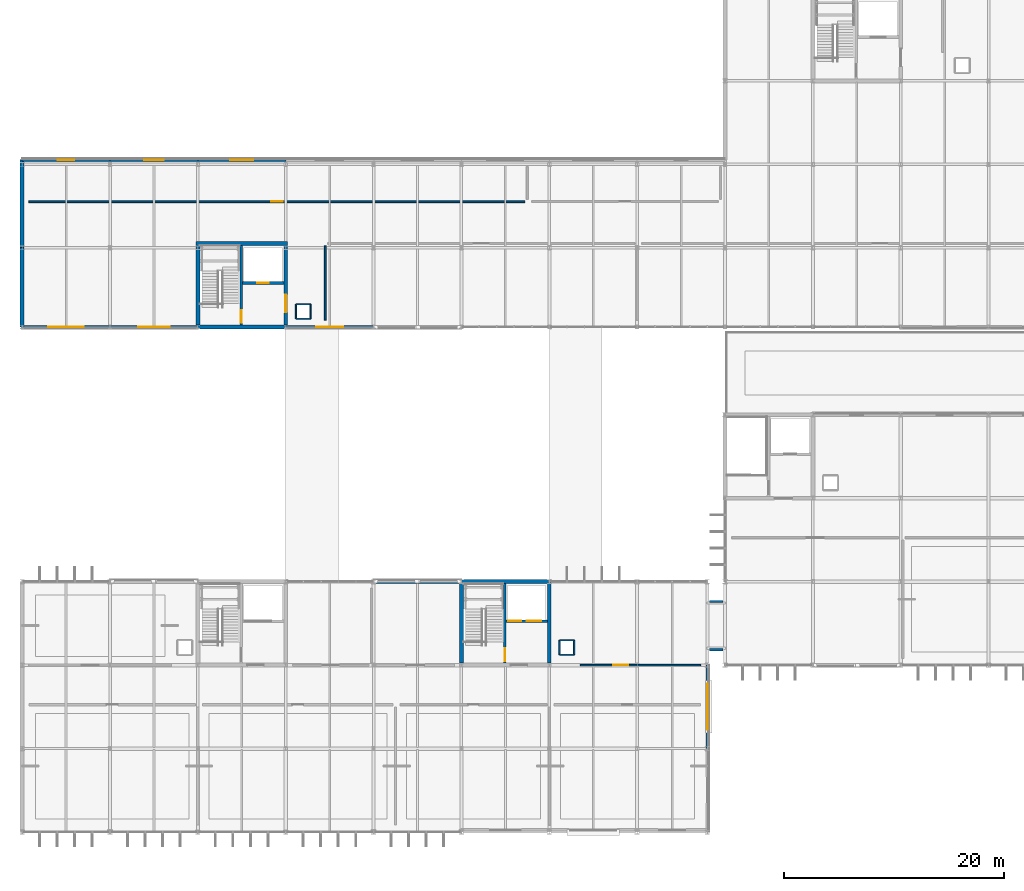
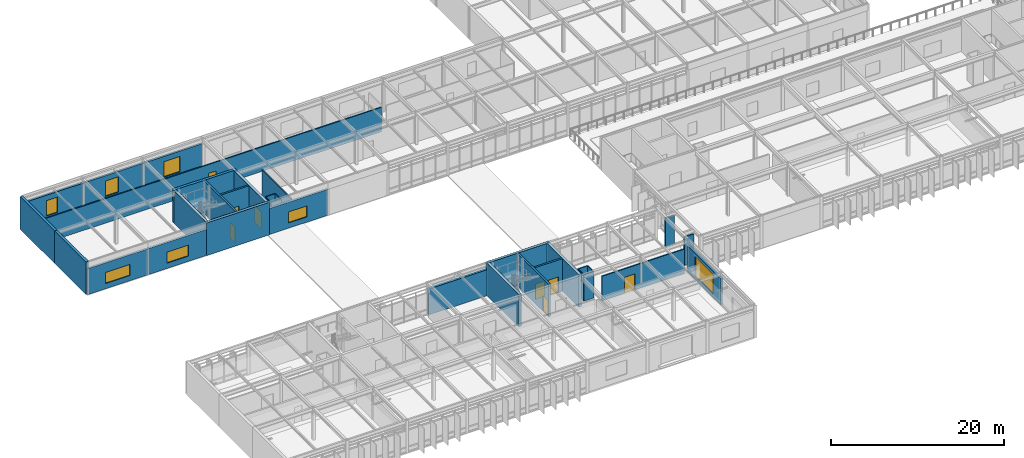
# One storey, part 83 of 100: 34 walls, 8 doors, 7 windows, 15 openings.
"""IFC4 building model written with IfcOpenShell, lengths in metres."""

from ifc_helpers import new_model, si_unit, direction, frame, frame_2d, origin, place, context, subcontext, project, spatial, rectangle, extrude, material, layer, layer_set, type_object, element, fill, save


model = new_model("IFC4")

# Units and contexts
model_context = context("Model", 3, precision=1e-05, world=origin(), true_north=direction((0.0, 1.0)))
body_context = subcontext(model_context, "Body", "Model", "MODEL_VIEW")
ifc_project = project(units=[si_unit("LENGTHUNIT", "METRE"), si_unit("AREAUNIT", "SQUARE_METRE"), si_unit("VOLUMEUNIT", "CUBIC_METRE"), si_unit("PLANEANGLEUNIT", "RADIAN"), si_unit("MASSUNIT", "GRAM", prefix="KILO")], contexts=[model_context])

# Site, building, storey
site_placement = place(None, origin())
site = spatial("IfcSite", under=ifc_project, at=site_placement, CompositionType="ELEMENT")
building_placement = place(site_placement, origin())
building = spatial("IfcBuilding", under=site, at=building_placement, Name="Zulena Civic Courthouse", CompositionType="ELEMENT")
storey_placement = place(building_placement, frame((0.0, 0.0, 20.39990234375)))
storey = spatial("IfcBuildingStorey", under=building, at=storey_placement, Name="L04", CompositionType="ELEMENT", Elevation=20.39990234375)

# Walls
ifc_material_1 = material(Name="Travertine-cream architectural precast concrete C40/50", Category="masonry")
ifc_layer_1 = layer(ifc_material_1, 0.205078125)
ifc_layer_set_1 = layer_set([ifc_layer_1], Name="Travertine-cream architectural precast concrete C40/50")
wall_type_1 = type_object("IfcWallType", Name="BridgeWall_GlazedScreen_205", PredefinedType="STANDARD", material=ifc_layer_set_1)
for number, where, z_axis, x_axis, name in (
    (1, (67.820068359375, 16.60009765625, 0.0), (0.0, 0.0, 1.0), (-1.0, 0.0, 0.0), "ewall:bridge:BR-24:L04:S"),
    (2, (66.580078125, 21.0, 0.0), (0.0, 0.0, 1.0), (1.0, 0.0, 0.0), "ewall:bridge:BR-24:L04:N"),
):
    element("IfcWall", number, at=place(storey_placement, frame(where, z_axis=z_axis, x_axis=x_axis)), inside=storey, type_object=wall_type_1, Name=name, PredefinedType="STANDARD", context=body_context, shape_type="SweptSolid", body=[
        extrude(rectangle(XDim=1.239990234375, YDim=0.205078125, at=frame_2d((0.6201171875, 0.0))), origin(), (0.0, 0.0, 1.0), 4.02001953125),
    ])

# Wall, opening, door
ifc_material_2 = material(Name="Concrete C40/50", Category="concrete")
ifc_layer_2 = layer(ifc_material_2, 0.25)
ifc_layer_set_2 = layer_set([ifc_layer_2], Name="Concrete C40/50")
wall_type_2 = type_object("IfcWallType", Name="CoreShearWall_RC250", PredefinedType="SHEAR", material=ifc_layer_set_2)
wall_1_placement = place(storey_placement, frame((47.949951171875, 15.375, 0.0), z_axis=(0.0, 0.0, 1.0), x_axis=(0.0, 1.0, 0.0)))
wall_1 = element("IfcWall", 3, at=wall_1_placement, inside=storey, type_object=wall_type_2, Name="cwall:K2B:L04:DIV", PredefinedType="SHEAR", context=body_context, shape_type="SweptSolid", body=[
    extrude(rectangle(XDim=7.25, YDim=0.25, at=frame_2d((3.625, 0.0))), origin(), (0.0, 0.0, 1.0), 4.590087890625),
])
opening_1_placement = place(wall_1_placement, frame((0.179931640625, 0.0, 0.0)))
opening_1 = element("IfcOpeningElement", 4, at=opening_1_placement, cuts=wall_1, Name="Opening ID07", PredefinedType="OPENING", context=body_context, shape_type="SweptSolid", body=[
    extrude(rectangle(XDim=1.199951171875, YDim=2.199951171875, at=frame_2d((0.60009765625, 1.10009765625))), frame((0.0, 0.135009765625, 0.0), z_axis=(0.0, -1.0, 0.0), x_axis=(1.0, 0.0, 0.0)), (0.0, 0.0, 1.0), 0.27001953125),
])
ifc_material_3 = material(Name="Fire-rated galvanised steel ASTM A653 Grade 50", Category="steel")
door_type_1 = type_object("IfcDoorType", Name="IntDoor_Stair_1200x2200", OperationType="NOTDEFINED", PredefinedType="DOOR", material=ifc_material_3)
door_1_placement = place(opening_1_placement, origin())
door_1 = element("IfcDoor", 5, at=door_1_placement, inside=storey, type_object=door_type_1, Name="door:stair:K2B:L04", OperationType="SINGLE_SWING_LEFT", OverallHeight=2.199951171875, OverallWidth=1.199951171875, PredefinedType="DOOR", context=body_context, shape_type="SweptSolid", body=[
    extrude(rectangle(XDim=1.199951171875, YDim=2.199951171875, at=frame_2d((0.60009765625, 1.10009765625))), frame((0.0, 0.02490234375, 0.0), z_axis=(0.0, -1.0, 0.0), x_axis=(1.0, 0.0, 0.0)), (0.0, 0.0, 1.0), 0.050048828125),
])
fill(opening_1, door_1)

# Wall, openings, doors
wall_2_placement = place(storey_placement, frame((48.074951171875, 19.199951171875, 0.0), z_axis=(0.0, 0.0, 1.0), x_axis=(1.0, 0.0, 0.0)))
wall_2 = element("IfcWall", 6, at=wall_2_placement, inside=storey, type_object=wall_type_2, Name="cwall:K2B:L04:SHF", PredefinedType="SHEAR", context=body_context, shape_type="SweptSolid", body=[
    extrude(rectangle(XDim=3.75, YDim=0.25, at=frame_2d((1.875, 0.0))), origin(), (0.0, 0.0, 1.0), 4.590087890625),
])
opening_2_placement = place(wall_2_placement, frame((0.179931640625, 0.0, 0.0)))
opening_2 = element("IfcOpeningElement", 7, at=opening_2_placement, cuts=wall_2, Name="Opening LD01", PredefinedType="OPENING", context=body_context, shape_type="SweptSolid", body=[
    extrude(rectangle(XDim=1.199951171875, YDim=2.199951171875, at=frame_2d((0.60009765625, 1.10009765625))), frame((0.0, 0.135009765625, 0.0), z_axis=(0.0, -1.0, 0.0), x_axis=(1.0, 0.0, 0.0)), (0.0, 0.0, 1.0), 0.27001953125),
])
opening_3_placement = place(wall_2_placement, frame((1.85009765625, 0.0, 0.0)))
opening_3 = element("IfcOpeningElement", 8, at=opening_3_placement, cuts=wall_2, Name="Opening LD04", PredefinedType="OPENING", context=body_context, shape_type="SweptSolid", body=[
    extrude(rectangle(XDim=1.35009765625, YDim=2.199951171875, at=frame_2d((0.675048828125, 1.10009765625))), frame((0.0, 0.135009765625, 0.0), z_axis=(0.0, -1.0, 0.0), x_axis=(1.0, 0.0, 0.0)), (0.0, 0.0, 1.0), 0.27001953125),
])
door_type_2 = type_object("IfcDoorType", Name="LiftLandingDoor_FF_1200x2200", OperationType="SLIDING_TO_LEFT", PredefinedType="DOOR", material=ifc_material_3)
door_2_placement = place(opening_2_placement, origin())
door_2 = element("IfcDoor", 9, at=door_2_placement, inside=storey, type_object=door_type_2, Name="door:ld:FL-02:L04", OperationType="SLIDING_TO_LEFT", OverallHeight=2.199951171875, OverallWidth=1.199951171875, PredefinedType="DOOR", context=body_context, shape_type="SweptSolid", body=[
    extrude(rectangle(XDim=1.199951171875, YDim=2.199951171875, at=frame_2d((0.60009765625, 1.10009765625))), frame((0.0, 0.02490234375, 0.0), z_axis=(0.0, -1.0, 0.0), x_axis=(1.0, 0.0, 0.0)), (0.0, 0.0, 1.0), 0.050048828125),
])
fill(opening_2, door_2)
door_type_3 = type_object("IfcDoorType", Name="LiftLandingDoor_Goods_1350x2300", OperationType="DOUBLE_DOOR_SLIDING", PredefinedType="DOOR", material=ifc_material_3)
door_3_placement = place(opening_3_placement, origin())
door_3 = element("IfcDoor", 10, at=door_3_placement, inside=storey, type_object=door_type_3, Name="door:ld:CL-01:L04", OperationType="DOUBLE_DOOR_SLIDING", OverallHeight=2.199951171875, OverallWidth=1.35009765625, PredefinedType="DOOR", context=body_context, shape_type="SweptSolid", body=[
    extrude(rectangle(XDim=1.35009765625, YDim=2.199951171875, at=frame_2d((0.675048828125, 1.10009765625))), frame((0.0, 0.02490234375, 0.0), z_axis=(0.0, -1.0, 0.0), x_axis=(1.0, 0.0, 0.0)), (0.0, 0.0, 1.0), 0.050048828125),
])
fill(opening_3, door_3)

# Wall, opening, door
wall_3_placement = place(storey_placement, frame((23.949951171875, 46.175048828125, 0.0), z_axis=(0.0, 0.0, 1.0), x_axis=(0.0, 1.0, 0.0)))
wall_3 = element("IfcWall", 11, at=wall_3_placement, inside=storey, type_object=wall_type_2, Name="cwall:K5A:L04:DIV", PredefinedType="SHEAR", context=body_context, shape_type="SweptSolid", body=[
    extrude(rectangle(XDim=7.25, YDim=0.25, at=frame_2d((3.625, 0.0))), origin(), (0.0, 0.0, 1.0), 4.590087890625),
])
opening_4_placement = place(wall_3_placement, frame((0.179931640625, 0.0, 0.0)))
opening_4 = element("IfcOpeningElement", 12, at=opening_4_placement, cuts=wall_3, Name="Opening ID08", PredefinedType="OPENING", context=body_context, shape_type="SweptSolid", body=[
    extrude(rectangle(XDim=1.14990234375, YDim=2.199951171875, at=frame_2d((0.574951171875, 1.10009765625))), frame((0.0, 0.135009765625, 0.0), z_axis=(0.0, -1.0, 0.0), x_axis=(1.0, 0.0, 0.0)), (0.0, 0.0, 1.0), 0.27001953125),
])
door_type_4 = type_object("IfcDoorType", Name="IntDoor_Stair_1150x2200", OperationType="NOTDEFINED", PredefinedType="DOOR", material=ifc_material_3)
door_4_placement = place(opening_4_placement, origin())
door_4 = element("IfcDoor", 13, at=door_4_placement, inside=storey, type_object=door_type_4, Name="door:stair:K5A:L04", OperationType="SINGLE_SWING_RIGHT", OverallHeight=2.199951171875, OverallWidth=1.14990234375, PredefinedType="DOOR", context=body_context, shape_type="SweptSolid", body=[
    extrude(rectangle(XDim=1.14990234375, YDim=2.199951171875, at=frame_2d((0.574951171875, 1.10009765625))), frame((0.0, 0.02490234375, 0.0), z_axis=(0.0, -1.0, 0.0), x_axis=(1.0, 0.0, 0.0)), (0.0, 0.0, 1.0), 0.050048828125),
])
fill(opening_4, door_4)

wall_4_placement = place(storey_placement, frame((24.074951171875, 50.0, 0.0), z_axis=(0.0, 0.0, 1.0), x_axis=(1.0, 0.0, 0.0)))
wall_4 = element("IfcWall", 14, at=wall_4_placement, inside=storey, type_object=wall_type_2, Name="cwall:K5A:L04:SHF", PredefinedType="SHEAR", context=body_context, shape_type="SweptSolid", body=[
    extrude(rectangle(XDim=3.75, YDim=0.25, at=frame_2d((1.875, 0.0))), origin(), (0.0, 0.0, 1.0), 4.590087890625),
])
opening_5_placement = place(wall_4_placement, frame((1.344970703125, 0.0, 0.0)))
opening_5 = element("IfcOpeningElement", 15, at=opening_5_placement, cuts=wall_4, Name="Opening LD03", PredefinedType="OPENING", context=body_context, shape_type="SweptSolid", body=[
    extrude(rectangle(XDim=1.050048828125, YDim=2.199951171875, at=frame_2d((0.52490234375, 1.10009765625))), frame((0.0, 0.135009765625, 0.0), z_axis=(0.0, -1.0, 0.0), x_axis=(1.0, 0.0, 0.0)), (0.0, 0.0, 1.0), 0.27001953125),
])
door_type_5 = type_object("IfcDoorType", Name="LiftLandingDoor_Jud_1050x2200", OperationType="SLIDING_TO_RIGHT", PredefinedType="DOOR", material=ifc_material_3)
door_5_placement = place(opening_5_placement, origin())
door_5 = element("IfcDoor", 16, at=door_5_placement, inside=storey, type_object=door_type_5, Name="door:ld:JL-02:L04", OperationType="SLIDING_TO_RIGHT", OverallHeight=2.199951171875, OverallWidth=1.050048828125, PredefinedType="DOOR", context=body_context, shape_type="SweptSolid", body=[
    extrude(rectangle(XDim=1.050048828125, YDim=2.199951171875, at=frame_2d((0.52490234375, 1.10009765625))), frame((0.0, 0.02490234375, 0.0), z_axis=(0.0, -1.0, 0.0), x_axis=(1.0, 0.0, 0.0)), (0.0, 0.0, 1.0), 0.050048828125),
])
fill(opening_5, door_5)

# Walls
ifc_layer_3 = layer(ifc_material_2, 0.35009765625)
ifc_layer_set_3 = layer_set([ifc_layer_3], Name="Concrete C40/50")
wall_type_3 = type_object("IfcWallType", Name="CoreShearWall_RC350", PredefinedType="SHEAR", material=ifc_layer_set_3)
wall_5_placement = place(storey_placement, frame((43.824951171875, 22.800048828125, 0.0), z_axis=(0.0, 0.0, 1.0), x_axis=(1.0, 0.0, 0.0)))
element("IfcWall", 17, at=wall_5_placement, inside=storey, type_object=wall_type_3, Name="cwall:K2B:L04:N", PredefinedType="SHEAR", context=body_context, shape_type="SweptSolid", body=[
    extrude(rectangle(XDim=8.35009765625, YDim=0.35009765625, at=frame_2d((4.175048828125, 0.0))), origin(), (0.0, 0.0, 1.0), 4.590087890625),
])
for number, where, z_axis, x_axis, name in (
    (18, (44.0, 15.375, 0.0), (0.0, 0.0, 1.0), (0.0, 1.0, 0.0), "cwall:K2B:L04:W"),
    (19, (52.0, 15.375, 0.0), (0.0, 0.0, 1.0), (0.0, 1.0, 0.0), "cwall:K2B:L04:E"),
):
    element("IfcWall", number, at=place(storey_placement, frame(where, z_axis=z_axis, x_axis=x_axis)), inside=storey, type_object=wall_type_3, Name=name, PredefinedType="SHEAR", context=body_context, shape_type="SweptSolid", body=[
        extrude(rectangle(XDim=7.25, YDim=0.35009765625, at=frame_2d((3.625, 0.0))), origin(), (0.0, 0.0, 1.0), 4.590087890625),
    ])
for number, where, z_axis, x_axis, name in (
    (20, (19.824951171875, 46.0, 0.0), (0.0, 0.0, 1.0), (1.0, 0.0, 0.0), "cwall:K5A:L04:S"),
    (21, (19.824951171875, 53.60009765625, 0.0), (0.0, 0.0, 1.0), (1.0, 0.0, 0.0), "cwall:K5A:L04:N"),
):
    element("IfcWall", number, at=place(storey_placement, frame(where, z_axis=z_axis, x_axis=x_axis)), inside=storey, type_object=wall_type_3, Name=name, PredefinedType="SHEAR", context=body_context, shape_type="SweptSolid", body=[
        extrude(rectangle(XDim=8.35009765625, YDim=0.35009765625, at=frame_2d((4.175048828125, 0.0))), origin(), (0.0, 0.0, 1.0), 4.590087890625),
    ])
wall_6_placement = place(storey_placement, frame((20.0, 46.175048828125, 0.0), z_axis=(0.0, 0.0, 1.0), x_axis=(0.0, 1.0, 0.0)))
element("IfcWall", 22, at=wall_6_placement, inside=storey, type_object=wall_type_3, Name="cwall:K5A:L04:W", PredefinedType="SHEAR", context=body_context, shape_type="SweptSolid", body=[
    extrude(rectangle(XDim=7.25, YDim=0.35009765625, at=frame_2d((3.625, 0.0))), origin(), (0.0, 0.0, 1.0), 4.590087890625),
])

# Wall, opening, door
wall_7_placement = place(storey_placement, frame((28.0, 46.175048828125, 0.0), z_axis=(0.0, 0.0, 1.0), x_axis=(0.0, 1.0, 0.0)))
wall_7 = element("IfcWall", 23, at=wall_7_placement, inside=storey, type_object=wall_type_3, Name="cwall:K5A:L04:E", PredefinedType="SHEAR", context=body_context, shape_type="SweptSolid", body=[
    extrude(rectangle(XDim=7.25, YDim=0.35009765625, at=frame_2d((3.625, 0.0))), origin(), (0.0, 0.0, 1.0), 4.590087890625),
])
opening_6_placement = place(wall_7_placement, frame((1.14990234375, 0.0, 0.0)))
opening_6 = element("IfcOpeningElement", 24, at=opening_6_placement, cuts=wall_7, Name="Opening ID04", PredefinedType="OPENING", context=body_context, shape_type="SweptSolid", body=[
    extrude(rectangle(XDim=1.60009765625, YDim=2.35009765625, at=frame_2d((0.800048828125, 1.175048828125))), frame((0.0, 0.18505859375, 0.0), z_axis=(0.0, -1.0, 0.0), x_axis=(1.0, 0.0, 0.0)), (0.0, 0.0, 1.0), 0.3701171875),
])
ifc_material_4 = material(Name="Solid-core acoustic hardwood timber", Category="wood")
door_type_6 = type_object("IfcDoorType", Name="IntDoor_CourtPublic_1600x2350", OperationType="DOUBLE_DOOR_SINGLE_SWING", PredefinedType="DOOR", material=ifc_material_4)
door_6_placement = place(opening_6_placement, origin())
door_6 = element("IfcDoor", 25, at=door_6_placement, inside=storey, type_object=door_type_6, Name="door:corelob:K5A:L04", OperationType="DOUBLE_DOOR_SINGLE_SWING", OverallHeight=2.35009765625, OverallWidth=1.60009765625, PredefinedType="DOOR", context=body_context, shape_type="SweptSolid", body=[
    extrude(rectangle(XDim=1.60009765625, YDim=2.35009765625, at=frame_2d((0.800048828125, 1.175048828125))), frame((0.0, 0.02490234375, 0.0), z_axis=(0.0, -1.0, 0.0), x_axis=(1.0, 0.0, 0.0)), (0.0, 0.0, 1.0), 0.050048828125),
])
fill(opening_6, door_6)

# Wall, opening, window
ifc_material_5 = material(Name="Buff architectural precast concrete C40/50", Category="concrete")
ifc_layer_4 = layer(ifc_material_5, 0.264892578125)
ifc_layer_set_4 = layer_set([ifc_layer_4], Name="Buff architectural precast concrete C40/50")
wall_type_4 = type_object("IfcWallType", Name="ExtWall_BuffPrecast_265", PredefinedType="STANDARD", material=ifc_layer_set_4)
wall_8_placement = place(storey_placement, frame((3.97998046875, 61.199951171875, 0.0), z_axis=(0.0, 0.0, 1.0), x_axis=(1.0, 0.0, 0.0)))
wall_8 = element("IfcWall", 26, at=wall_8_placement, inside=storey, type_object=wall_type_4, Name="ewall:V5:L04:1:0", PredefinedType="STANDARD", context=body_context, shape_type="SweptSolid", body=[
    extrude(rectangle(XDim=8.0400390625, YDim=0.264892578125, at=frame_2d((4.02001953125, 0.0))), origin(), (0.0, 0.0, 1.0), 3.66015625),
])
opening_7_placement = place(wall_8_placement, frame((3.27001953125, 0.0, 0.75)))
opening_7 = element("IfcOpeningElement", 27, at=opening_7_placement, cuts=wall_8, Name="Opening WN09", PredefinedType="OPENING", context=body_context, shape_type="SweptSolid", body=[
    extrude(rectangle(XDim=1.5, YDim=2.14990234375, at=frame_2d((0.75, 1.074951171875))), frame((0.0, 0.142333984375, 0.0), z_axis=(0.0, -1.0, 0.0), x_axis=(1.0, 0.0, 0.0)), (0.0, 0.0, 1.0), 0.284912109375),
])
ifc_material_6 = material(Name="Double-silver low-E laminated solar-control glass", Category="glass")
window_type_1 = type_object("IfcWindowType", Name="Win_1500x2150", PartitioningType="SINGLE_PANEL", PredefinedType="WINDOW", material=ifc_material_6)
window_1_placement = place(opening_7_placement, origin())
window_1 = element("IfcWindow", 28, at=window_1_placement, inside=storey, type_object=window_type_1, Name="win:V5:L04:1:0", OverallHeight=2.14990234375, OverallWidth=1.5, PartitioningType="SINGLE_PANEL", PredefinedType="WINDOW", context=body_context, shape_type="SweptSolid", body=[
    extrude(rectangle(XDim=1.5, YDim=2.14990234375, at=frame_2d((0.75, 1.074951171875))), frame((0.0, 0.030029296875, 0.0), z_axis=(0.0, -1.0, 0.0), x_axis=(1.0, 0.0, 0.0)), (0.0, 0.0, 1.0), 0.06005859375),
])
fill(opening_7, window_1)

wall_9_placement = place(storey_placement, frame((11.97998046875, 61.199951171875, 0.0), z_axis=(0.0, 0.0, 1.0), x_axis=(1.0, 0.0, 0.0)))
wall_9 = element("IfcWall", 29, at=wall_9_placement, inside=storey, type_object=wall_type_4, Name="ewall:V5:L04:1:1", PredefinedType="STANDARD", context=body_context, shape_type="SweptSolid", body=[
    extrude(rectangle(XDim=8.0400390625, YDim=0.264892578125, at=frame_2d((4.02001953125, 0.0))), origin(), (0.0, 0.0, 1.0), 3.66015625),
])
opening_8_placement = place(wall_9_placement, frame((3.14501953125, 0.0, 0.75)))
opening_8 = element("IfcOpeningElement", 30, at=opening_8_placement, cuts=wall_9, Name="Opening WN10", PredefinedType="OPENING", context=body_context, shape_type="SweptSolid", body=[
    extrude(rectangle(XDim=1.75, YDim=2.14990234375, at=frame_2d((0.875, 1.074951171875))), frame((0.0, 0.142333984375, 0.0), z_axis=(0.0, -1.0, 0.0), x_axis=(1.0, 0.0, 0.0)), (0.0, 0.0, 1.0), 0.284912109375),
])
window_type_2 = type_object("IfcWindowType", Name="Win_1750x2150", PartitioningType="SINGLE_PANEL", PredefinedType="WINDOW", material=ifc_material_6)
window_2_placement = place(opening_8_placement, origin())
window_2 = element("IfcWindow", 31, at=window_2_placement, inside=storey, type_object=window_type_2, Name="win:V5:L04:1:1", OverallHeight=2.14990234375, OverallWidth=1.75, PartitioningType="SINGLE_PANEL", PredefinedType="WINDOW", context=body_context, shape_type="SweptSolid", body=[
    extrude(rectangle(XDim=1.75, YDim=2.14990234375, at=frame_2d((0.875, 1.074951171875))), frame((0.0, 0.030029296875, 0.0), z_axis=(0.0, -1.0, 0.0), x_axis=(1.0, 0.0, 0.0)), (0.0, 0.0, 1.0), 0.06005859375),
])
fill(opening_8, window_2)

wall_10_placement = place(storey_placement, frame((19.97998046875, 61.199951171875, 0.0), z_axis=(0.0, 0.0, 1.0), x_axis=(1.0, 0.0, 0.0)))
wall_10 = element("IfcWall", 32, at=wall_10_placement, inside=storey, type_object=wall_type_4, Name="ewall:V5:L04:1:2", PredefinedType="STANDARD", context=body_context, shape_type="SweptSolid", body=[
    extrude(rectangle(XDim=8.0400390625, YDim=0.264892578125, at=frame_2d((4.02001953125, 0.0))), origin(), (0.0, 0.0, 1.0), 3.66015625),
])
opening_9_placement = place(wall_10_placement, frame((2.969970703125, 0.0, 0.75)))
opening_9 = element("IfcOpeningElement", 33, at=opening_9_placement, cuts=wall_10, Name="Opening WN11", PredefinedType="OPENING", context=body_context, shape_type="SweptSolid", body=[
    extrude(rectangle(XDim=2.10009765625, YDim=2.14990234375, at=frame_2d((1.050048828125, 1.074951171875))), frame((0.0, 0.142333984375, 0.0), z_axis=(0.0, -1.0, 0.0), x_axis=(1.0, 0.0, 0.0)), (0.0, 0.0, 1.0), 0.284912109375),
])
window_type_3 = type_object("IfcWindowType", Name="Win_2100x2150", PartitioningType="DOUBLE_PANEL_VERTICAL", PredefinedType="WINDOW", material=ifc_material_6)
window_3_placement = place(opening_9_placement, origin())
window_3 = element("IfcWindow", 34, at=window_3_placement, inside=storey, type_object=window_type_3, Name="win:V5:L04:1:2", OverallHeight=2.14990234375, OverallWidth=2.10009765625, PartitioningType="SINGLE_PANEL", PredefinedType="WINDOW", context=body_context, shape_type="SweptSolid", body=[
    extrude(rectangle(XDim=2.10009765625, YDim=2.14990234375, at=frame_2d((1.050048828125, 1.074951171875))), frame((0.0, 0.030029296875, 0.0), z_axis=(0.0, -1.0, 0.0), x_axis=(1.0, 0.0, 0.0)), (0.0, 0.0, 1.0), 0.06005859375),
])
fill(opening_9, window_3)

wall_11_placement = place(storey_placement, frame((36.02001953125, 46.0, 0.0), z_axis=(0.0, 0.0, 1.0), x_axis=(-1.0, 0.0, 0.0)))
wall_11 = element("IfcWall", 35, at=wall_11_placement, inside=storey, type_object=wall_type_4, Name="ewall:V5:L04:5:9", PredefinedType="STANDARD", context=body_context, shape_type="SweptSolid", body=[
    extrude(rectangle(XDim=8.0400390625, YDim=0.264892578125, at=frame_2d((4.02001953125, 0.0))), origin(), (0.0, 0.0, 1.0), 3.66015625),
])
opening_10_placement = place(wall_11_placement, frame((2.794921875, 0.0, 0.75)))
opening_10 = element("IfcOpeningElement", 36, at=opening_10_placement, cuts=wall_11, Name="Opening WN27", PredefinedType="OPENING", context=body_context, shape_type="SweptSolid", body=[
    extrude(rectangle(XDim=2.449951171875, YDim=1.550048828125, at=frame_2d((1.22509765625, 0.77490234375))), frame((0.0, 0.142333984375, 0.0), z_axis=(0.0, -1.0, 0.0), x_axis=(1.0, 0.0, 0.0)), (0.0, 0.0, 1.0), 0.284912109375),
])
window_type_4 = type_object("IfcWindowType", Name="Win_2450x1550", PartitioningType="DOUBLE_PANEL_VERTICAL", PredefinedType="WINDOW", material=ifc_material_6)
window_4_placement = place(opening_10_placement, origin())
window_4 = element("IfcWindow", 37, at=window_4_placement, inside=storey, type_object=window_type_4, Name="win:V5:L04:5:9", OverallHeight=1.550048828125, OverallWidth=2.449951171875, PartitioningType="SINGLE_PANEL", PredefinedType="WINDOW", context=body_context, shape_type="SweptSolid", body=[
    extrude(rectangle(XDim=2.449951171875, YDim=1.550048828125, at=frame_2d((1.22509765625, 0.77490234375))), frame((0.0, 0.030029296875, 0.0), z_axis=(0.0, -1.0, 0.0), x_axis=(1.0, 0.0, 0.0)), (0.0, 0.0, 1.0), 0.06005859375),
])
fill(opening_10, window_4)

wall_12_placement = place(storey_placement, frame((20.02001953125, 46.0, 0.0), z_axis=(0.0, 0.0, 1.0), x_axis=(-1.0, 0.0, 0.0)))
wall_12 = element("IfcWall", 38, at=wall_12_placement, inside=storey, type_object=wall_type_4, Name="ewall:V5:L04:5:11", PredefinedType="STANDARD", context=body_context, shape_type="SweptSolid", body=[
    extrude(rectangle(XDim=8.0400390625, YDim=0.264892578125, at=frame_2d((4.02001953125, 0.0))), origin(), (0.0, 0.0, 1.0), 3.66015625),
])
opening_11_placement = place(wall_12_placement, frame((2.594970703125, 0.0, 0.75)))
opening_11 = element("IfcOpeningElement", 39, at=opening_11_placement, cuts=wall_12, Name="Opening WN28", PredefinedType="OPENING", context=body_context, shape_type="SweptSolid", body=[
    extrude(rectangle(XDim=2.85009765625, YDim=1.550048828125, at=frame_2d((1.425048828125, 0.77490234375))), frame((0.0, 0.142333984375, 0.0), z_axis=(0.0, -1.0, 0.0), x_axis=(1.0, 0.0, 0.0)), (0.0, 0.0, 1.0), 0.284912109375),
])
window_type_5 = type_object("IfcWindowType", Name="Win_2850x1550", PartitioningType="DOUBLE_PANEL_VERTICAL", PredefinedType="WINDOW", material=ifc_material_6)
window_5_placement = place(opening_11_placement, origin())
window_5 = element("IfcWindow", 40, at=window_5_placement, inside=storey, type_object=window_type_5, Name="win:V5:L04:5:11", OverallHeight=1.550048828125, OverallWidth=2.85009765625, PartitioningType="SINGLE_PANEL", PredefinedType="WINDOW", context=body_context, shape_type="SweptSolid", body=[
    extrude(rectangle(XDim=2.85009765625, YDim=1.550048828125, at=frame_2d((1.425048828125, 0.77490234375))), frame((0.0, 0.030029296875, 0.0), z_axis=(0.0, -1.0, 0.0), x_axis=(1.0, 0.0, 0.0)), (0.0, 0.0, 1.0), 0.06005859375),
])
fill(opening_11, window_5)

wall_13_placement = place(storey_placement, frame((12.02001953125, 46.0, 0.0), z_axis=(0.0, 0.0, 1.0), x_axis=(-1.0, 0.0, 0.0)))
wall_13 = element("IfcWall", 41, at=wall_13_placement, inside=storey, type_object=wall_type_4, Name="ewall:V5:L04:5:12", PredefinedType="STANDARD", context=body_context, shape_type="SweptSolid", body=[
    extrude(rectangle(XDim=8.0400390625, YDim=0.264892578125, at=frame_2d((4.02001953125, 0.0))), origin(), (0.0, 0.0, 1.0), 3.66015625),
])
opening_12_placement = place(wall_13_placement, frame((2.39501953125, 0.0, 0.75)))
opening_12 = element("IfcOpeningElement", 42, at=opening_12_placement, cuts=wall_13, Name="Opening WN29", PredefinedType="OPENING", context=body_context, shape_type="SweptSolid", body=[
    extrude(rectangle(XDim=3.25, YDim=1.550048828125, at=frame_2d((1.625, 0.77490234375))), frame((0.0, 0.142333984375, 0.0), z_axis=(0.0, -1.0, 0.0), x_axis=(1.0, 0.0, 0.0)), (0.0, 0.0, 1.0), 0.284912109375),
])
window_type_6 = type_object("IfcWindowType", Name="Win_3250x1550", PartitioningType="DOUBLE_PANEL_VERTICAL", PredefinedType="WINDOW", material=ifc_material_6)
window_6_placement = place(opening_12_placement, origin())
window_6 = element("IfcWindow", 43, at=window_6_placement, inside=storey, type_object=window_type_6, Name="win:V5:L04:5:12", OverallHeight=1.550048828125, OverallWidth=3.25, PartitioningType="SINGLE_PANEL", PredefinedType="WINDOW", context=body_context, shape_type="SweptSolid", body=[
    extrude(rectangle(XDim=3.25, YDim=1.550048828125, at=frame_2d((1.625, 0.77490234375))), frame((0.0, 0.030029296875, 0.0), z_axis=(0.0, -1.0, 0.0), x_axis=(1.0, 0.0, 0.0)), (0.0, 0.0, 1.0), 0.06005859375),
])
fill(opening_12, window_6)

# Walls
ifc_layer_5 = layer(ifc_material_2, 0.360107421875)
ifc_layer_set_5 = layer_set([ifc_layer_5], Name="Concrete C40/50")
wall_type_5 = type_object("IfcWallType", Name="ExtWall_PartyWall_360", PredefinedType="STANDARD", material=ifc_layer_set_5)
wall_14_placement = place(storey_placement, frame((4.0, 45.97998046875, 0.0), z_axis=(0.0, 0.0, 1.0), x_axis=(0.0, 1.0, 0.0)))
element("IfcWall", 44, at=wall_14_placement, inside=storey, type_object=wall_type_5, Name="ewall:V5:L04:0:0", PredefinedType="STANDARD", context=body_context, shape_type="SweptSolid", body=[
    extrude(rectangle(XDim=7.239990234375, YDim=0.360107421875, at=frame_2d((3.6201171875, 0.0))), origin(), (0.0, 0.0, 1.0), 4.60009765625),
])
wall_15_placement = place(storey_placement, frame((4.0, 53.179931640625, 0.0), z_axis=(0.0, 0.0, 1.0), x_axis=(0.0, 1.0, 0.0)))
element("IfcWall", 45, at=wall_15_placement, inside=storey, type_object=wall_type_5, Name="ewall:V5:L04:0:1", PredefinedType="STANDARD", context=body_context, shape_type="SweptSolid", body=[
    extrude(rectangle(XDim=8.0400390625, YDim=0.360107421875, at=frame_2d((4.02001953125, 0.0))), origin(), (0.0, 0.0, 1.0), 4.60009765625),
])
ifc_material_7 = material(Name="White architectural precast concrete C40/50", Category="concrete")
ifc_layer_6 = layer(ifc_material_7, 0.300048828125)
ifc_layer_set_6 = layer_set([ifc_layer_6], Name="White architectural precast concrete C40/50")
wall_type_6 = type_object("IfcWallType", Name="ExtWall_WhitePrecast_300", PredefinedType="STANDARD", material=ifc_layer_set_6)
wall_16_placement = place(storey_placement, frame((35.97998046875, 22.800048828125, 0.0), z_axis=(0.0, 0.0, 1.0), x_axis=(1.0, 0.0, 0.0)))
element("IfcWall", 46, at=wall_16_placement, inside=storey, type_object=wall_type_6, Name="ewall:V2:L04:1:4", PredefinedType="STANDARD", context=body_context, shape_type="SweptSolid", body=[
    extrude(rectangle(XDim=8.0400390625, YDim=0.300048828125, at=frame_2d((4.02001953125, 0.0))), origin(), (0.0, 0.0, 1.0), 3.66015625),
])

# Wall, opening, window
wall_17_placement = place(storey_placement, frame((66.39990234375, 15.219970703125, 0.0), z_axis=(0.0, 0.0, 1.0), x_axis=(0.0, -1.0, 0.0)))
wall_17 = element("IfcWall", 47, at=wall_17_placement, inside=storey, type_object=wall_type_6, Name="ewall:V2:L04:2:1", PredefinedType="STANDARD", context=body_context, shape_type="SweptSolid", body=[
    extrude(rectangle(XDim=7.639892578125, YDim=0.300048828125, at=frame_2d((3.81982421875, 0.0))), origin(), (0.0, 0.0, 1.0), 3.66015625),
])
opening_13_placement = place(wall_17_placement, frame((1.719970703125, 0.0, 0.449951171875)))
opening_13 = element("IfcOpeningElement", 48, at=opening_13_placement, cuts=wall_17, Name="Opening WN49", PredefinedType="OPENING", context=body_context, shape_type="SweptSolid", body=[
    extrude(rectangle(XDim=4.199951171875, YDim=2.800048828125, at=frame_2d((2.10009765625, 1.39990234375))), frame((0.0, 0.159912109375, 0.0), z_axis=(0.0, -1.0, 0.0), x_axis=(1.0, 0.0, 0.0)), (0.0, 0.0, 1.0), 0.320068359375),
])
window_type_7 = type_object("IfcWindowType", Name="Win_4200x2800", PartitioningType="DOUBLE_PANEL_VERTICAL", PredefinedType="WINDOW", material=ifc_material_6)
window_7_placement = place(opening_13_placement, origin())
window_7 = element("IfcWindow", 49, at=window_7_placement, inside=storey, type_object=window_type_7, Name="win:outlook:L04:2:1", OverallHeight=2.800048828125, OverallWidth=4.199951171875, PartitioningType="SINGLE_PANEL", PredefinedType="WINDOW", context=body_context, shape_type="SweptSolid", body=[
    extrude(rectangle(XDim=4.199951171875, YDim=2.800048828125, at=frame_2d((2.10009765625, 1.39990234375))), frame((0.0, 0.030029296875, 0.0), z_axis=(0.0, -1.0, 0.0), x_axis=(1.0, 0.0, 0.0)), (0.0, 0.0, 1.0), 0.06005859375),
])
fill(opening_13, window_7)

# Wall, opening, door
ifc_material_8 = material(Name="Acoustic fire-rated gypsum board assembly", Category="masonry")
ifc_layer_7 = layer(ifc_material_8, 0.14599609375)
ifc_layer_set_7 = layer_set([ifc_layer_7], Name="Acoustic fire-rated gypsum board assembly")
wall_type_7 = type_object("IfcWallType", Name="PartWall_Chambers_146", PredefinedType="PARTITIONING", material=ifc_layer_set_7)
wall_18_placement = place(storey_placement, frame((54.820068359375, 15.199951171875, 0.0), z_axis=(0.0, 0.0, 1.0), x_axis=(1.0, 0.0, 0.0)))
wall_18 = element("IfcWall", 50, at=wall_18_placement, inside=storey, type_object=wall_type_7, Name="pwall:L04:330:0", PredefinedType="PARTITIONING", context=body_context, shape_type="SweptSolid", body=[
    extrude(rectangle(XDim=10.9599609375, YDim=0.14599609375, at=frame_2d((5.47998046875, 0.0))), origin(), (0.0, 0.0, 1.0), 3.4501953125),
])
opening_14_placement = place(wall_18_placement, frame((3.0048828125, 0.0, 0.0)))
opening_14 = element("IfcOpeningElement", 51, at=opening_14_placement, cuts=wall_18, Name="Opening ID19", PredefinedType="OPENING", context=body_context, shape_type="SweptSolid", body=[
    extrude(rectangle(XDim=1.35009765625, YDim=2.25, at=frame_2d((0.675048828125, 1.125))), frame((0.0, 0.0830078125, 0.0), z_axis=(0.0, -1.0, 0.0), x_axis=(1.0, 0.0, 0.0)), (0.0, 0.0, 1.0), 0.166015625),
])
door_type_7 = type_object("IfcDoorType", Name="IntDoor_Library_1350x2250", OperationType="NOTDEFINED", PredefinedType="DOOR", material=ifc_material_4)
door_7_placement = place(opening_14_placement, origin())
door_7 = element("IfcDoor", 52, at=door_7_placement, inside=storey, type_object=door_type_7, Name="door:rm:L04:330", OperationType="SINGLE_SWING_RIGHT", OverallHeight=2.25, OverallWidth=1.35009765625, PredefinedType="DOOR", context=body_context, shape_type="SweptSolid", body=[
    extrude(rectangle(XDim=1.35009765625, YDim=2.25, at=frame_2d((0.675048828125, 1.125))), frame((0.0, 0.02490234375, 0.0), z_axis=(0.0, -1.0, 0.0), x_axis=(1.0, 0.0, 0.0)), (0.0, 0.0, 1.0), 0.050048828125),
])
fill(opening_14, door_7)

# Wall
wall_19_placement = place(storey_placement, frame((31.60009765625, 46.6201171875, 0.0), z_axis=(0.0, 0.0, 1.0), x_axis=(0.0, 1.0, 0.0)))
element("IfcWall", 53, at=wall_19_placement, inside=storey, type_object=wall_type_7, Name="pwall:L04:405:1", PredefinedType="PARTITIONING", context=body_context, shape_type="SweptSolid", body=[
    extrude(rectangle(XDim=6.759765625, YDim=0.14599609375, at=frame_2d((3.3798828125, 0.0))), origin(), (0.0, 0.0, 1.0), 3.4501953125),
])

# Wall, opening, door
ifc_layer_8 = layer(ifc_material_8, 0.162109375)
ifc_layer_set_8 = layer_set([ifc_layer_8], Name="Acoustic fire-rated gypsum board assembly")
wall_type_8 = type_object("IfcWallType", Name="PartWall_Jury_162", PredefinedType="PARTITIONING", material=ifc_layer_set_8)
wall_20_placement = place(storey_placement, frame((4.6201171875, 57.39990234375, 0.0), z_axis=(0.0, 0.0, 1.0), x_axis=(1.0, 0.0, 0.0)))
wall_20 = element("IfcWall", 54, at=wall_20_placement, inside=storey, type_object=wall_type_8, Name="pwall:L04:407:0", PredefinedType="PARTITIONING", context=body_context, shape_type="SweptSolid", body=[
    extrude(rectangle(XDim=45.159912109375, YDim=0.162109375, at=frame_2d((22.580078125, 0.0))), origin(), (0.0, 0.0, 1.0), 3.4501953125),
])
opening_15_placement = place(wall_20_placement, frame((22.06005859375, 0.0, 0.0)))
opening_15 = element("IfcOpeningElement", 55, at=opening_15_placement, cuts=wall_20, Name="Opening ID21", PredefinedType="OPENING", context=body_context, shape_type="SweptSolid", body=[
    extrude(rectangle(XDim=1.0400390625, YDim=2.199951171875, at=frame_2d((0.52001953125, 1.10009765625))), frame((0.0, 0.091064453125, 0.0), z_axis=(0.0, -1.0, 0.0), x_axis=(1.0, 0.0, 0.0)), (0.0, 0.0, 1.0), 0.18212890625),
])
door_type_8 = type_object("IfcDoorType", Name="IntDoor_Mediation_1040x2200", OperationType="NOTDEFINED", PredefinedType="DOOR", material=ifc_material_4)
door_8_placement = place(opening_15_placement, origin())
door_8 = element("IfcDoor", 56, at=door_8_placement, inside=storey, type_object=door_type_8, Name="door:rm:L04:407", OperationType="SINGLE_SWING_RIGHT", OverallHeight=2.199951171875, OverallWidth=1.0400390625, PredefinedType="DOOR", context=body_context, shape_type="SweptSolid", body=[
    extrude(rectangle(XDim=1.0400390625, YDim=2.199951171875, at=frame_2d((0.52001953125, 1.10009765625))), frame((0.0, 0.02490234375, 0.0), z_axis=(0.0, -1.0, 0.0), x_axis=(1.0, 0.0, 0.0)), (0.0, 0.0, 1.0), 0.050048828125),
])
fill(opening_15, door_8)

# Walls
ifc_material_9 = material(Name="Insulated blockwork masonry ASTM C90", Category="masonry")
ifc_layer_9 = layer(ifc_material_9, 0.114990234375)
ifc_layer_set_9 = layer_set([ifc_layer_9], Name="Insulated blockwork masonry ASTM C90")
wall_type_9 = type_object("IfcWallType", Name="PartWall_Riser_115", PredefinedType="PARTITIONING", material=ifc_layer_set_9)
for number, where, z_axis, x_axis, name in (
    (57, (52.93994140625, 16.139892578125, 0.0), (0.0, 0.0, 1.0), (1.0, 0.0, 0.0), "riser:RS-V2E:L04:0"),
    (58, (54.260009765625, 16.139892578125, 0.0), (0.0, 0.0, 1.0), (0.0, 1.0, 0.0), "riser:RS-V2E:L04:1"),
    (59, (54.260009765625, 17.4599609375, 0.0), (0.0, 0.0, 1.0), (-1.0, 0.0, 0.0), "riser:RS-V2E:L04:2"),
    (60, (52.93994140625, 17.4599609375, 0.0), (0.0, 0.0, 1.0), (0.0, -1.0, 0.0), "riser:RS-V2E:L04:3"),
    (61, (28.93994140625, 46.739990234375, 0.0), (0.0, 0.0, 1.0), (1.0, 0.0, 0.0), "riser:RS-V5W:L04:0"),
    (62, (30.260009765625, 46.739990234375, 0.0), (0.0, 0.0, 1.0), (0.0, 1.0, 0.0), "riser:RS-V5W:L04:1"),
    (63, (30.260009765625, 48.06005859375, 0.0), (0.0, 0.0, 1.0), (-1.0, 0.0, 0.0), "riser:RS-V5W:L04:2"),
    (64, (28.93994140625, 48.06005859375, 0.0), (0.0, 0.0, 1.0), (0.0, -1.0, 0.0), "riser:RS-V5W:L04:3"),
):
    element("IfcWall", number, at=place(storey_placement, frame(where, z_axis=z_axis, x_axis=x_axis)), inside=storey, type_object=wall_type_9, Name=name, PredefinedType="PARTITIONING", context=body_context, shape_type="SweptSolid", body=[
        extrude(rectangle(XDim=1.320068359375, YDim=0.114990234375, at=frame_2d((0.66015625, 0.0))), origin(), (0.0, 0.0, 1.0), 3.75),
    ])

save(model, "model.ifc")
